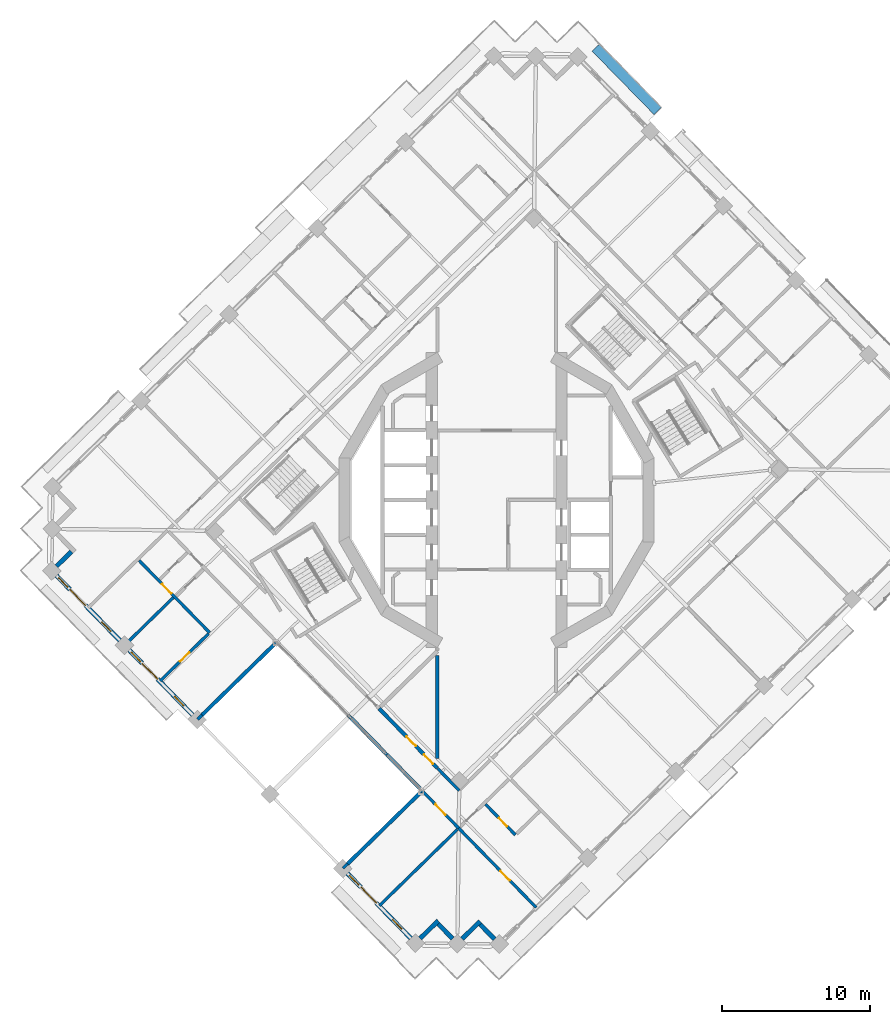
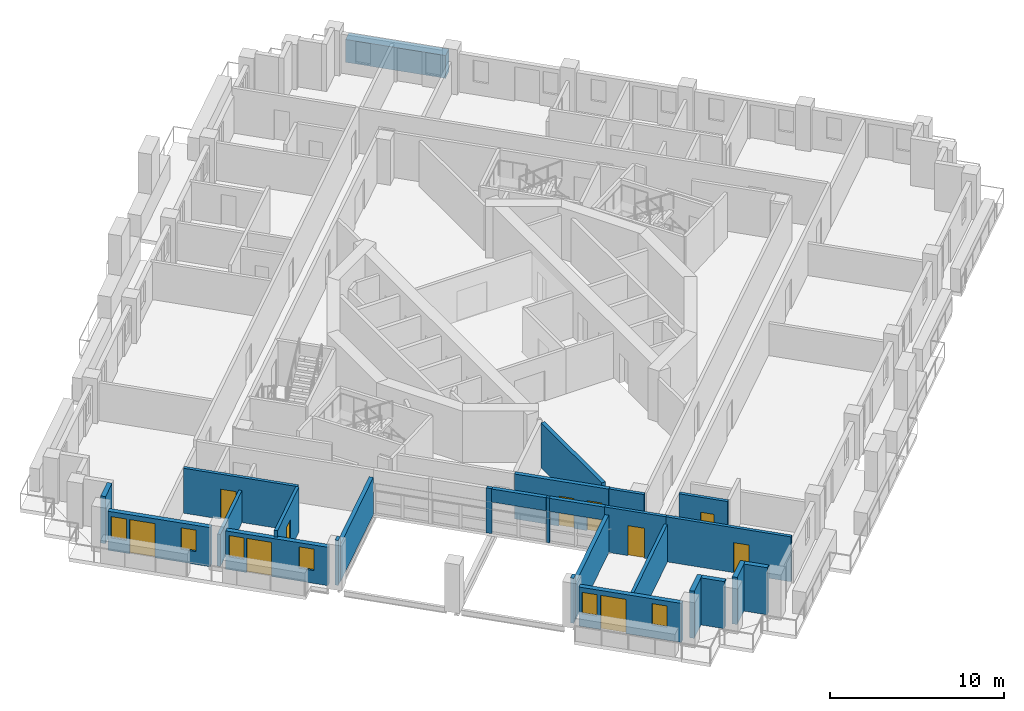
# One storey, part 6 of 19: 26 walls, 10 doors, 6 windows, 1 plate, 16 openings.
"""IFC4 building model written with IfcOpenShell, lengths in metres."""

from ifc_helpers import new_model, si_unit, direction, frame, frame_2d, origin, origin_2d, place, context, subcontext, project, spatial, rectangle, extrude, material, layer, layer_set, type_object, element, fill, save


model = new_model("IFC4")

# Units and contexts
model_context = context("Model", 3, precision=1e-05, world=origin(), true_north=direction((0.0, 1.0)))
body_context = subcontext(model_context, "Body", "Model", "MODEL_VIEW")
ifc_project = project(units=[si_unit("LENGTHUNIT", "METRE"), si_unit("AREAUNIT", "SQUARE_METRE"), si_unit("VOLUMEUNIT", "CUBIC_METRE"), si_unit("PLANEANGLEUNIT", "RADIAN"), si_unit("MASSUNIT", "GRAM", prefix="KILO")], contexts=[model_context])

# Site, building, storey
site_placement = place(None, origin())
site = spatial("IfcSite", under=ifc_project, at=site_placement, CompositionType="ELEMENT")
building_placement = place(site_placement, origin())
building = spatial("IfcBuilding", under=site, at=building_placement, Name="Cantera Rosa Tower", CompositionType="ELEMENT")
storey_placement = place(building_placement, frame((0.0, 0.0, 241.39990234375)))
storey = spatial("IfcBuildingStorey", under=building, at=storey_placement, Name="L53", CompositionType="ELEMENT", Elevation=241.39990234375)

# Plate
ifc_material_1 = material(Name="Cantera stone planter with soil", Category="masonry")
plate_type = type_object("IfcPlateType", Name="PLANTER 700", PredefinedType="USERDEFINED", material=ifc_material_1)
plate_placement = place(storey_placement, frame((8.778564453125, 28.3798828125, 0.0), z_axis=(0.0, 0.0, 1.0), x_axis=(-0.698831540364, 0.71528629107, 0.0)))
element("IfcPlate", 1, at=plate_placement, inside=storey, type_object=plate_type, Name="PLANTER L53-05", ObjectType="PLANTER", PredefinedType="USERDEFINED", context=body_context, shape_type="SweptSolid", body=[
    extrude(rectangle(XDim=5.969970703125, YDim=0.699951171875, at=origin_2d()), origin(), (0.0, 0.0, 1.0), 1.60009765625),
])

# Walls
ifc_material_2 = material(Name="Gypsum board partition")
ifc_layer_1 = layer(ifc_material_2, 0.199951171875)
ifc_layer_set_1 = layer_set([ifc_layer_1], Name="CORRIDOR WALL 200 H3150")
wall_type_1 = type_object("IfcWallType", Name="CORRIDOR WALL 200 H3150", PredefinedType="PARTITIONING", material=ifc_layer_set_1)
wall_1_placement = place(storey_placement, frame((-10.03759765625, -14.481689453125, 0.0), z_axis=(0.0, 0.0, 1.0), x_axis=(0.698975667252, -0.715145451352, 0.0)))
element("IfcWall", 2, at=wall_1_placement, inside=storey, type_object=wall_type_1, Name="CORRIDOR WALL L53-005", PredefinedType="PARTITIONING", context=body_context, shape_type="SweptSolid", body=[
    extrude(rectangle(XDim=0.332275390625, YDim=0.199951171875, at=frame_2d((0.166015625, 0.0))), origin(), (0.0, 0.0, 1.0), 3.150146484375),
])
wall_2_placement = place(storey_placement, frame((-7.536376953125, -17.041748046875, 0.0), z_axis=(0.0, 0.0, 1.0), x_axis=(0.698874391949, -0.715244422752, 0.0)))
element("IfcWall", 3, at=wall_2_placement, inside=storey, type_object=wall_type_1, Name="CORRIDOR WALL L53-006", PredefinedType="PARTITIONING", context=body_context, shape_type="SweptSolid", body=[
    extrude(rectangle(XDim=0.19384765625, YDim=0.199951171875, at=frame_2d((0.096923828125, 0.0))), origin(), (0.0, 0.0, 1.0), 3.150146484375),
])

# Wall, opening, door
wall_3_placement = place(storey_placement, frame((-5.10302734375, -19.5322265625, 0.0), z_axis=(0.0, 0.0, 1.0), x_axis=(0.698786553758, -0.71533024002, 0.0)))
wall_3 = element("IfcWall", 4, at=wall_3_placement, inside=storey, type_object=wall_type_1, Name="CORRIDOR WALL L53-007", PredefinedType="PARTITIONING", context=body_context, shape_type="SweptSolid", body=[
    extrude(rectangle(XDim=3.64501953125, YDim=0.199951171875, at=frame_2d((1.822509765625, 0.0))), origin(), (0.0, 0.0, 1.0), 3.150146484375),
])
opening_1_placement = place(wall_3_placement, frame((1.385009765625, 0.0, 0.0)))
opening_1 = element("IfcOpeningElement", 5, at=opening_1_placement, cuts=wall_3, Name="Opening L53-046", PredefinedType="OPENING", context=body_context, shape_type="SweptSolid", body=[
    extrude(rectangle(XDim=1.0, YDim=2.10009765625, at=frame_2d((0.5, 1.050048828125))), frame((0.0, 0.10986328125, 0.0), z_axis=(0.0, -1.0, 0.0), x_axis=(1.0, 0.0, 0.0)), (0.0, 0.0, 1.0), 0.219970703125),
])
ifc_material_3 = material(Name="Timber door leaf", Category="wood")
door_type_1 = type_object("IfcDoorType", Name="ROOM DOOR 1000x2100", OperationType="NOTDEFINED", PredefinedType="DOOR", material=ifc_material_3)
door_1_placement = place(opening_1_placement, origin())
door_1 = element("IfcDoor", 6, at=door_1_placement, inside=storey, type_object=door_type_1, Name="DOOR L53-046", OperationType="NOTDEFINED", OverallHeight=2.10009765625, OverallWidth=1.0, PredefinedType="DOOR", context=body_context, shape_type="SweptSolid", body=[
    extrude(rectangle(XDim=1.0, YDim=2.10009765625, at=frame_2d((0.5, 1.050048828125))), frame((0.0, 0.02490234375, 0.0), z_axis=(0.0, -1.0, 0.0), x_axis=(1.0, 0.0, 0.0)), (0.0, 0.0, 1.0), 0.050048828125),
])
fill(opening_1, door_1)

# Walls
wall_4_placement = place(storey_placement, frame((-3.986083984375, -18.10009765625, 0.0), z_axis=(0.0, 0.0, 1.0), x_axis=(0.698877234419, -0.715241645327, 0.0)))
element("IfcWall", 7, at=wall_4_placement, inside=storey, type_object=wall_type_1, Name="CORRIDOR WALL L53-052", PredefinedType="PARTITIONING", context=body_context, shape_type="SweptSolid", body=[
    extrude(rectangle(XDim=2.088623046875, YDim=0.199951171875, at=frame_2d((1.04443359375, 0.0))), origin(), (0.0, 0.0, 1.0), 3.150146484375),
])
ifc_material_4 = material(Name="Hollow clay masonry with cantera stone cladding", Category="masonry")
ifc_layer_2 = layer(ifc_material_4, 0.300048828125)
ifc_layer_set_2 = layer_set([ifc_layer_2], Name="EW-LOGGIA 300")
wall_type_2 = type_object("IfcWallType", Name="EW-LOGGIA 300", PredefinedType="SOLIDWALL", material=ifc_layer_set_2)
wall_5_placement = place(storey_placement, frame((-28.680419921875, -3.48486328125, 0.0), z_axis=(0.0, 0.0, 1.0), x_axis=(-0.71516937164, -0.698951192766, 0.0)))
element("IfcWall", 8, at=wall_5_placement, inside=storey, type_object=wall_type_2, Name="EN-L53-W13b", PredefinedType="SOLIDWALL", context=body_context, shape_type="SweptSolid", body=[
    extrude(rectangle(XDim=1.39990234375, YDim=0.300048828125, at=frame_2d((0.699951171875, 0.0))), origin(), (0.0, 0.0, 1.0), 3.300048828125),
])
wall_6_placement = place(storey_placement, frame((-5.15283203125, -29.56982421875, 0.0), z_axis=(0.0, 0.0, 1.0), x_axis=(0.715316077832, 0.69880105094, 0.0)))
element("IfcWall", 9, at=wall_6_placement, inside=storey, type_object=wall_type_2, Name="EN-L53-W19a", PredefinedType="SOLIDWALL", context=body_context, shape_type="SweptSolid", body=[
    extrude(rectangle(XDim=1.699951171875, YDim=0.300048828125, at=frame_2d((0.85009765625, 0.0))), origin(), (0.0, 0.0, 1.0), 3.300048828125),
])
wall_7_placement = place(storey_placement, frame((-3.939208984375, -28.593994140625, 0.0), z_axis=(0.0, 0.0, 1.0), x_axis=(0.698861982187, -0.715256548278, 0.0)))
element("IfcWall", 10, at=wall_7_placement, inside=storey, type_object=wall_type_2, Name="EN-L53-W19b", PredefinedType="SOLIDWALL", context=body_context, shape_type="SweptSolid", body=[
    extrude(rectangle(XDim=1.39990234375, YDim=0.300048828125, at=frame_2d((0.699951171875, 0.0))), origin(), (0.0, 0.0, 1.0), 3.300048828125),
])
wall_8_placement = place(storey_placement, frame((-2.324462890625, -29.602783203125, 0.0), z_axis=(0.0, 0.0, 1.0), x_axis=(0.715316077832, 0.69880105094, 0.0)))
element("IfcWall", 11, at=wall_8_placement, inside=storey, type_object=wall_type_2, Name="EN-L53-W20a", PredefinedType="SOLIDWALL", context=body_context, shape_type="SweptSolid", body=[
    extrude(rectangle(XDim=1.699951171875, YDim=0.300048828125, at=frame_2d((0.85009765625, 0.0))), origin(), (0.0, 0.0, 1.0), 3.300048828125),
])
wall_9_placement = place(storey_placement, frame((-1.111083984375, -28.626953125, 0.0), z_axis=(0.0, 0.0, 1.0), x_axis=(0.698951192766, -0.71516937164, 0.0)))
element("IfcWall", 12, at=wall_9_placement, inside=storey, type_object=wall_type_2, Name="EN-L53-W20b", PredefinedType="SOLIDWALL", context=body_context, shape_type="SweptSolid", body=[
    extrude(rectangle(XDim=1.39990234375, YDim=0.300048828125, at=frame_2d((0.699951171875, 0.0))), origin(), (0.0, 0.0, 1.0), 3.300048828125),
])

# Wall, openings, windows, door
ifc_material_5 = material(Name="Hollow clay masonry with cantera stone cladding", Category="masonry")
ifc_layer_3 = layer(ifc_material_5, 0.300048828125)
ifc_layer_set_3 = layer_set([ifc_layer_3], Name="EW-LOGGIA 300 H2690")
wall_type_3 = type_object("IfcWallType", Name="EW-LOGGIA 300 H2690", PredefinedType="SOLIDWALL", material=ifc_layer_set_3)
wall_10_placement = place(storey_placement, frame((-24.783203125, -10.120849609375, 0.0), z_axis=(0.0, 0.0, 1.0), x_axis=(0.698800768177, -0.715316354067, 0.0)))
wall_10 = element("IfcWall", 13, at=wall_10_placement, inside=storey, type_object=wall_type_3, Name="EN-L53-W15", PredefinedType="SOLIDWALL", context=body_context, shape_type="SweptSolid", body=[
    extrude(rectangle(XDim=6.119873046875, YDim=0.300048828125, at=frame_2d((3.06005859375, 0.0))), origin(), (0.0, 0.0, 1.0), 2.690185546875),
])
opening_2_placement = place(wall_10_placement, frame((0.199951171875, 0.0, 0.89990234375)))
opening_2 = element("IfcOpeningElement", 14, at=opening_2_placement, cuts=wall_10, Name="Opening L53-W31", PredefinedType="OPENING", context=body_context, shape_type="SweptSolid", body=[
    extrude(rectangle(XDim=0.89990234375, YDim=1.5, at=frame_2d((0.449951171875, 0.75))), frame((0.0, 0.159912109375, 0.0), z_axis=(0.0, -1.0, 0.0), x_axis=(1.0, 0.0, 0.0)), (0.0, 0.0, 1.0), 0.320068359375),
])
opening_3_placement = place(wall_10_placement, frame((1.25, 0.0, 0.0)))
opening_3 = element("IfcOpeningElement", 15, at=opening_3_placement, cuts=wall_10, Name="Opening L53-TD32", PredefinedType="OPENING", context=body_context, shape_type="SweptSolid", body=[
    extrude(rectangle(XDim=1.5, YDim=2.39990234375, at=frame_2d((0.75, 1.199951171875))), frame((0.0, 0.159912109375, 0.0), z_axis=(0.0, -1.0, 0.0), x_axis=(1.0, 0.0, 0.0)), (0.0, 0.0, 1.0), 0.320068359375),
])
opening_4_placement = place(wall_10_placement, frame((4.364990234375, 0.0, 0.89990234375)))
opening_4 = element("IfcOpeningElement", 16, at=opening_4_placement, cuts=wall_10, Name="Opening L53-W33", PredefinedType="OPENING", context=body_context, shape_type="SweptSolid", body=[
    extrude(rectangle(XDim=0.89990234375, YDim=1.5, at=frame_2d((0.449951171875, 0.75))), frame((0.0, 0.159912109375, 0.0), z_axis=(0.0, -1.0, 0.0), x_axis=(1.0, 0.0, 0.0)), (0.0, 0.0, 1.0), 0.320068359375),
])
ifc_material_6 = material(Name="Aluminium frame with clear glass", Category="aluminium")
window_type = type_object("IfcWindowType", Name="Residential window 900x1500", PartitioningType="SINGLE_PANEL", PredefinedType="WINDOW", material=ifc_material_6)
window_1_placement = place(opening_2_placement, origin())
window_1 = element("IfcWindow", 17, at=window_1_placement, inside=storey, type_object=window_type, Name="WINDOW L53-W31", OverallHeight=1.5, OverallWidth=0.89990234375, PartitioningType="SINGLE_PANEL", PredefinedType="WINDOW", context=body_context, shape_type="SweptSolid", body=[
    extrude(rectangle(XDim=0.89990234375, YDim=1.5, at=frame_2d((0.449951171875, 0.75))), frame((0.0, 0.030029296875, 0.0), z_axis=(0.0, -1.0, 0.0), x_axis=(1.0, 0.0, 0.0)), (0.0, 0.0, 1.0), 0.06005859375),
])
fill(opening_2, window_1)
window_2_placement = place(opening_4_placement, origin())
window_2 = element("IfcWindow", 18, at=window_2_placement, inside=storey, type_object=window_type, Name="WINDOW L53-W33", OverallHeight=1.5, OverallWidth=0.89990234375, PartitioningType="SINGLE_PANEL", PredefinedType="WINDOW", context=body_context, shape_type="SweptSolid", body=[
    extrude(rectangle(XDim=0.89990234375, YDim=1.5, at=frame_2d((0.449951171875, 0.75))), frame((0.0, 0.030029296875, 0.0), z_axis=(0.0, -1.0, 0.0), x_axis=(1.0, 0.0, 0.0)), (0.0, 0.0, 1.0), 0.06005859375),
])
fill(opening_4, window_2)
ifc_material_7 = material(Name="Aluminium frame with clear glass", Category="aluminium")
door_type_2 = type_object("IfcDoorType", Name="TD-R 1500x2400", OperationType="NOTDEFINED", PredefinedType="DOOR", material=ifc_material_7)
door_2_placement = place(opening_3_placement, origin())
door_2 = element("IfcDoor", 19, at=door_2_placement, inside=storey, type_object=door_type_2, Name="LOGGIA DOOR L53-TD32", OperationType="SLIDING_TO_LEFT", OverallHeight=2.39990234375, OverallWidth=1.5, PredefinedType="DOOR", context=body_context, shape_type="SweptSolid", body=[
    extrude(rectangle(XDim=1.5, YDim=2.39990234375, at=frame_2d((0.75, 1.199951171875))), frame((0.0, 0.02490234375, 0.0), z_axis=(0.0, -1.0, 0.0), x_axis=(1.0, 0.0, 0.0)), (0.0, 0.0, 1.0), 0.050048828125),
])
fill(opening_3, door_2)

ifc_material_8 = material(Name="Hollow clay masonry with cantera stone cladding", Category="masonry")
ifc_layer_4 = layer(ifc_material_8, 0.300048828125)
ifc_layer_set_4 = layer_set([ifc_layer_4], Name="EW-LOGGIA 300 H2740")
wall_type_4 = type_object("IfcWallType", Name="EW-LOGGIA 300 H2740", PredefinedType="SOLIDWALL", material=ifc_layer_set_4)
wall_11_placement = place(storey_placement, frame((-29.689208984375, -5.099609375, 0.0), z_axis=(0.0, 0.0, 1.0), x_axis=(0.69882117953, -0.715296413412, 0.0)))
wall_11 = element("IfcWall", 20, at=wall_11_placement, inside=storey, type_object=wall_type_4, Name="EN-L53-W14", PredefinedType="SOLIDWALL", context=body_context, shape_type="SweptSolid", body=[
    extrude(rectangle(XDim=6.1201171875, YDim=0.300048828125, at=frame_2d((3.06005859375, 0.0))), origin(), (0.0, 0.0, 1.0), 2.739990234375),
])
opening_5_placement = place(wall_11_placement, frame((0.199951171875, 0.0, 0.89990234375)))
opening_5 = element("IfcOpeningElement", 21, at=opening_5_placement, cuts=wall_11, Name="Opening L53-W28", PredefinedType="OPENING", context=body_context, shape_type="SweptSolid", body=[
    extrude(rectangle(XDim=0.89990234375, YDim=1.5, at=frame_2d((0.449951171875, 0.75))), frame((0.0, 0.159912109375, 0.0), z_axis=(0.0, -1.0, 0.0), x_axis=(1.0, 0.0, 0.0)), (0.0, 0.0, 1.0), 0.320068359375),
])
opening_6_placement = place(wall_11_placement, frame((1.300048828125, 0.0, 0.0)))
opening_6 = element("IfcOpeningElement", 22, at=opening_6_placement, cuts=wall_11, Name="Opening L53-TD29", PredefinedType="OPENING", context=body_context, shape_type="SweptSolid", body=[
    extrude(rectangle(XDim=1.5, YDim=2.39990234375, at=frame_2d((0.75, 1.199951171875))), frame((0.0, 0.159912109375, 0.0), z_axis=(0.0, -1.0, 0.0), x_axis=(1.0, 0.0, 0.0)), (0.0, 0.0, 1.0), 0.320068359375),
])
opening_7_placement = place(wall_11_placement, frame((4.364990234375, 0.0, 0.89990234375)))
opening_7 = element("IfcOpeningElement", 23, at=opening_7_placement, cuts=wall_11, Name="Opening L53-W30", PredefinedType="OPENING", context=body_context, shape_type="SweptSolid", body=[
    extrude(rectangle(XDim=0.89990234375, YDim=1.5, at=frame_2d((0.449951171875, 0.75))), frame((0.0, 0.159912109375, 0.0), z_axis=(0.0, -1.0, 0.0), x_axis=(1.0, 0.0, 0.0)), (0.0, 0.0, 1.0), 0.320068359375),
])
window_3_placement = place(opening_5_placement, origin())
window_3 = element("IfcWindow", 24, at=window_3_placement, inside=storey, type_object=window_type, Name="WINDOW L53-W28", OverallHeight=1.5, OverallWidth=0.89990234375, PartitioningType="SINGLE_PANEL", PredefinedType="WINDOW", context=body_context, shape_type="SweptSolid", body=[
    extrude(rectangle(XDim=0.89990234375, YDim=1.5, at=frame_2d((0.449951171875, 0.75))), frame((0.0, 0.030029296875, 0.0), z_axis=(0.0, -1.0, 0.0), x_axis=(1.0, 0.0, 0.0)), (0.0, 0.0, 1.0), 0.06005859375),
])
fill(opening_5, window_3)
window_4_placement = place(opening_7_placement, origin())
window_4 = element("IfcWindow", 25, at=window_4_placement, inside=storey, type_object=window_type, Name="WINDOW L53-W30", OverallHeight=1.5, OverallWidth=0.89990234375, PartitioningType="SINGLE_PANEL", PredefinedType="WINDOW", context=body_context, shape_type="SweptSolid", body=[
    extrude(rectangle(XDim=0.89990234375, YDim=1.5, at=frame_2d((0.449951171875, 0.75))), frame((0.0, 0.030029296875, 0.0), z_axis=(0.0, -1.0, 0.0), x_axis=(1.0, 0.0, 0.0)), (0.0, 0.0, 1.0), 0.06005859375),
])
fill(opening_7, window_4)
door_3_placement = place(opening_6_placement, origin())
door_3 = element("IfcDoor", 26, at=door_3_placement, inside=storey, type_object=door_type_2, Name="LOGGIA DOOR L53-TD29", OperationType="SLIDING_TO_LEFT", OverallHeight=2.39990234375, OverallWidth=1.5, PredefinedType="DOOR", context=body_context, shape_type="SweptSolid", body=[
    extrude(rectangle(XDim=1.5, YDim=2.39990234375, at=frame_2d((0.75, 1.199951171875))), frame((0.0, 0.02490234375, 0.0), z_axis=(0.0, -1.0, 0.0), x_axis=(1.0, 0.0, 0.0)), (0.0, 0.0, 1.0), 0.050048828125),
])
fill(opening_6, door_3)

wall_12_placement = place(storey_placement, frame((-10.06591796875, -25.184814453125, 0.0), z_axis=(0.0, 0.0, 1.0), x_axis=(0.69882117953, -0.715296413412, 0.0)))
wall_12 = element("IfcWall", 27, at=wall_12_placement, inside=storey, type_object=wall_type_4, Name="EN-L53-W18", PredefinedType="SOLIDWALL", context=body_context, shape_type="SweptSolid", body=[
    extrude(rectangle(XDim=6.1201171875, YDim=0.300048828125, at=frame_2d((3.06005859375, 0.0))), origin(), (0.0, 0.0, 1.0), 2.739990234375),
])
opening_8_placement = place(wall_12_placement, frame((0.199951171875, 0.0, 0.89990234375)))
opening_8 = element("IfcOpeningElement", 28, at=opening_8_placement, cuts=wall_12, Name="Opening L53-W34", PredefinedType="OPENING", context=body_context, shape_type="SweptSolid", body=[
    extrude(rectangle(XDim=0.89990234375, YDim=1.5, at=frame_2d((0.449951171875, 0.75))), frame((0.0, 0.159912109375, 0.0), z_axis=(0.0, -1.0, 0.0), x_axis=(1.0, 0.0, 0.0)), (0.0, 0.0, 1.0), 0.320068359375),
])
opening_9_placement = place(wall_12_placement, frame((1.300048828125, 0.0, 0.0)))
opening_9 = element("IfcOpeningElement", 29, at=opening_9_placement, cuts=wall_12, Name="Opening L53-TD35", PredefinedType="OPENING", context=body_context, shape_type="SweptSolid", body=[
    extrude(rectangle(XDim=1.5, YDim=2.39990234375, at=frame_2d((0.75, 1.199951171875))), frame((0.0, 0.159912109375, 0.0), z_axis=(0.0, -1.0, 0.0), x_axis=(1.0, 0.0, 0.0)), (0.0, 0.0, 1.0), 0.320068359375),
])
opening_10_placement = place(wall_12_placement, frame((4.364990234375, 0.0, 0.89990234375)))
opening_10 = element("IfcOpeningElement", 30, at=opening_10_placement, cuts=wall_12, Name="Opening L53-W36", PredefinedType="OPENING", context=body_context, shape_type="SweptSolid", body=[
    extrude(rectangle(XDim=0.89990234375, YDim=1.5, at=frame_2d((0.449951171875, 0.75))), frame((0.0, 0.159912109375, 0.0), z_axis=(0.0, -1.0, 0.0), x_axis=(1.0, 0.0, 0.0)), (0.0, 0.0, 1.0), 0.320068359375),
])
window_5_placement = place(opening_8_placement, origin())
window_5 = element("IfcWindow", 31, at=window_5_placement, inside=storey, type_object=window_type, Name="WINDOW L53-W34", OverallHeight=1.5, OverallWidth=0.89990234375, PartitioningType="SINGLE_PANEL", PredefinedType="WINDOW", context=body_context, shape_type="SweptSolid", body=[
    extrude(rectangle(XDim=0.89990234375, YDim=1.5, at=frame_2d((0.449951171875, 0.75))), frame((0.0, 0.030029296875, 0.0), z_axis=(0.0, -1.0, 0.0), x_axis=(1.0, 0.0, 0.0)), (0.0, 0.0, 1.0), 0.06005859375),
])
fill(opening_8, window_5)
window_6_placement = place(opening_10_placement, origin())
window_6 = element("IfcWindow", 32, at=window_6_placement, inside=storey, type_object=window_type, Name="WINDOW L53-W36", OverallHeight=1.5, OverallWidth=0.89990234375, PartitioningType="SINGLE_PANEL", PredefinedType="WINDOW", context=body_context, shape_type="SweptSolid", body=[
    extrude(rectangle(XDim=0.89990234375, YDim=1.5, at=frame_2d((0.449951171875, 0.75))), frame((0.0, 0.030029296875, 0.0), z_axis=(0.0, -1.0, 0.0), x_axis=(1.0, 0.0, 0.0)), (0.0, 0.0, 1.0), 0.06005859375),
])
fill(opening_10, window_6)
door_4_placement = place(opening_9_placement, origin())
door_4 = element("IfcDoor", 33, at=door_4_placement, inside=storey, type_object=door_type_2, Name="LOGGIA DOOR L53-TD35", OperationType="SLIDING_TO_LEFT", OverallHeight=2.39990234375, OverallWidth=1.5, PredefinedType="DOOR", context=body_context, shape_type="SweptSolid", body=[
    extrude(rectangle(XDim=1.5, YDim=2.39990234375, at=frame_2d((0.75, 1.199951171875))), frame((0.0, 0.02490234375, 0.0), z_axis=(0.0, -1.0, 0.0), x_axis=(1.0, 0.0, 0.0)), (0.0, 0.0, 1.0), 0.050048828125),
])
fill(opening_9, door_4)

# Walls
ifc_material_9 = material(Name="Concrete C40/50", Category="concrete")
ifc_layer_5 = layer(ifc_material_9, 0.25)
ifc_layer_set_5 = layer_set([ifc_layer_5], Name="EW-POCKET CHEEK 250 H2620")
wall_type_5 = type_object("IfcWallType", Name="EW-POCKET CHEEK 250 H2620", PredefinedType="SOLIDWALL", material=ifc_layer_set_5)
for number, where, z_axis, x_axis, name in (
    (34, (-19.8701171875, -14.505859375, 0.0), (0.0, 0.0, 1.0), (0.715278984135, 0.69883901927, 0.0), "POCKET CHEEK A L53"),
    (35, (-10.05859375, -24.548583984375, 0.0), (0.0, 0.0, 1.0), (0.715278984135, 0.69883901927, 0.0), "POCKET CHEEK B L53"),
):
    element("IfcWall", number, at=place(storey_placement, frame(where, z_axis=z_axis, x_axis=x_axis)), inside=storey, type_object=wall_type_5, Name=name, PredefinedType="SOLIDWALL", context=body_context, shape_type="SweptSolid", body=[
        extrude(rectangle(XDim=6.949951171875, YDim=0.25, at=frame_2d((3.47509765625, 0.0))), origin(), (0.0, 0.0, 1.0), 2.6201171875),
    ])
ifc_material_10 = material(Name="Hollow clay masonry with cantera stone cladding", Category="masonry")
ifc_layer_6 = layer(ifc_material_10, 0.25)
ifc_layer_set_6 = layer_set([ifc_layer_6], Name="EW-POCKET REAR 250")
wall_type_6 = type_object("IfcWallType", Name="EW-POCKET REAR 250", PredefinedType="SOLIDWALL", material=ifc_layer_set_6)
wall_13_placement = place(storey_placement, frame((-9.8056640625, -14.71923828125, 2.234130859375), z_axis=(0.0, 0.0, 1.0), x_axis=(0.698863895591, -0.715254678726, 0.0)))
element("IfcWall", 36, at=wall_13_placement, inside=storey, type_object=wall_type_6, Name="POCKET SPANDREL L53-3", PredefinedType="SOLIDWALL", context=body_context, shape_type="SweptSolid", body=[
    extrude(rectangle(XDim=3.2470703125, YDim=0.25, at=frame_2d((1.62353515625, 0.0))), origin(), (0.0, 0.0, 1.0), 0.916015625),
])
wall_14_placement = place(storey_placement, frame((-7.40087890625, -17.180419921875, 2.234130859375), z_axis=(0.0, 0.0, 1.0), x_axis=(0.698854395977, -0.715263960523, 0.0)))
element("IfcWall", 37, at=wall_14_placement, inside=storey, type_object=wall_type_6, Name="POCKET SPANDREL L53-4", PredefinedType="SOLIDWALL", context=body_context, shape_type="SweptSolid", body=[
    extrude(rectangle(XDim=3.2880859375, YDim=0.25, at=frame_2d((1.64404296875, 0.0))), origin(), (0.0, 0.0, 1.0), 0.916015625),
])
ifc_material_11 = material(Name="Gypsum board partition")
ifc_layer_7 = layer(ifc_material_11, 0.199951171875)
ifc_layer_set_7 = layer_set([ifc_layer_7], Name="PARTITION 200 H2250")
wall_type_7 = type_object("IfcWallType", Name="PARTITION 200 H2250", PredefinedType="PARTITIONING", material=ifc_layer_set_7)
wall_15_placement = place(storey_placement, frame((-21.8076171875, -6.58447265625, 0.0), z_axis=(0.0, 0.0, 1.0), x_axis=(-0.71528612383, -0.698831711541, 0.0)))
element("IfcWall", 38, at=wall_15_placement, inside=storey, type_object=wall_type_7, Name="PARTITION L53-008", PredefinedType="PARTITIONING", context=body_context, shape_type="SweptSolid", body=[
    extrude(rectangle(XDim=4.56982421875, YDim=0.199951171875, at=frame_2d((2.284912109375, 0.0))), origin(), (0.0, 0.0, 1.0), 2.25),
])

# Wall, opening, door
ifc_material_12 = material(Name="Gypsum board partition")
ifc_layer_8 = layer(ifc_material_12, 0.199951171875)
ifc_layer_set_8 = layer_set([ifc_layer_8], Name="PARTITION 200 H3150")
wall_type_8 = type_object("IfcWallType", Name="PARTITION 200 H3150", PredefinedType="PARTITIONING", material=ifc_layer_set_8)
wall_16_placement = place(storey_placement, frame((-24.112060546875, -4.08251953125, 0.0), z_axis=(0.0, 0.0, 1.0), x_axis=(0.698837366631, -0.715280598787, 0.0)))
wall_16 = element("IfcWall", 39, at=wall_16_placement, inside=storey, type_object=wall_type_8, Name="PARTITION L53-001", PredefinedType="PARTITIONING", context=body_context, shape_type="SweptSolid", body=[
    extrude(rectangle(XDim=6.800048828125, YDim=0.199951171875, at=frame_2d((3.39990234375, 0.0))), origin(), (0.0, 0.0, 1.0), 3.150146484375),
])
opening_11_placement = place(wall_16_placement, frame((2.22998046875, 0.0, 0.0)))
opening_11 = element("IfcOpeningElement", 40, at=opening_11_placement, cuts=wall_16, Name="Opening L53-044", PredefinedType="OPENING", context=body_context, shape_type="SweptSolid", body=[
    extrude(rectangle(XDim=0.89990234375, YDim=2.10009765625, at=frame_2d((0.449951171875, 1.050048828125))), frame((0.0, 0.10986328125, 0.0), z_axis=(0.0, -1.0, 0.0), x_axis=(1.0, 0.0, 0.0)), (0.0, 0.0, 1.0), 0.219970703125),
])
ifc_material_13 = material(Name="Timber door leaf", Category="wood")
door_type_3 = type_object("IfcDoorType", Name="ROOM DOOR 900x2100", OperationType="NOTDEFINED", PredefinedType="DOOR", material=ifc_material_13)
door_5_placement = place(opening_11_placement, origin())
door_5 = element("IfcDoor", 41, at=door_5_placement, inside=storey, type_object=door_type_3, Name="DOOR L53-044", OperationType="NOTDEFINED", OverallHeight=2.10009765625, OverallWidth=0.89990234375, PredefinedType="DOOR", context=body_context, shape_type="SweptSolid", body=[
    extrude(rectangle(XDim=0.89990234375, YDim=2.10009765625, at=frame_2d((0.449951171875, 1.050048828125))), frame((0.0, 0.02490234375, 0.0), z_axis=(0.0, -1.0, 0.0), x_axis=(1.0, 0.0, 0.0)), (0.0, 0.0, 1.0), 0.050048828125),
])
fill(opening_11, door_5)

wall_17_placement = place(storey_placement, frame((-19.431396484375, -9.016357421875, 0.0), z_axis=(0.0, 0.0, 1.0), x_axis=(-0.715259419829, -0.69885904326, 0.0)))
wall_17 = element("IfcWall", 42, at=wall_17_placement, inside=storey, type_object=wall_type_8, Name="PARTITION L53-012", PredefinedType="PARTITIONING", context=body_context, shape_type="SweptSolid", body=[
    extrude(rectangle(XDim=4.570068359375, YDim=0.199951171875, at=frame_2d((2.28515625, 0.0))), origin(), (0.0, 0.0, 1.0), 3.150146484375),
])
opening_12_placement = place(wall_17_placement, frame((1.800048828125, 0.0, 0.0)))
opening_12 = element("IfcOpeningElement", 43, at=opening_12_placement, cuts=wall_17, Name="Opening L53-045", PredefinedType="OPENING", context=body_context, shape_type="SweptSolid", body=[
    extrude(rectangle(XDim=0.89990234375, YDim=2.10009765625, at=frame_2d((0.449951171875, 1.050048828125))), frame((0.0, 0.10986328125, 0.0), z_axis=(0.0, -1.0, 0.0), x_axis=(1.0, 0.0, 0.0)), (0.0, 0.0, 1.0), 0.219970703125),
])
door_6_placement = place(opening_12_placement, origin())
door_6 = element("IfcDoor", 44, at=door_6_placement, inside=storey, type_object=door_type_3, Name="DOOR L53-045", OperationType="NOTDEFINED", OverallHeight=2.10009765625, OverallWidth=0.89990234375, PredefinedType="DOOR", context=body_context, shape_type="SweptSolid", body=[
    extrude(rectangle(XDim=0.89990234375, YDim=2.10009765625, at=frame_2d((0.449951171875, 1.050048828125))), frame((0.0, 0.02490234375, 0.0), z_axis=(0.0, -1.0, 0.0), x_axis=(1.0, 0.0, 0.0)), (0.0, 0.0, 1.0), 0.050048828125),
])
fill(opening_12, door_6)

# Walls
for number, where, z_axis, x_axis, name in (
    (45, (-19.8701171875, -14.505859375, 0.0), (0.0, 0.0, 1.0), (-0.715200413867, -0.698919428836, 0.0), "PARTITION L53-020"),
    (46, (-10.35888671875, -24.842041015625, 0.0), (0.0, 0.0, 1.0), (0.715200413867, 0.698919428836, 0.0), "PARTITION L53-031"),
):
    element("IfcWall", number, at=place(storey_placement, frame(where, z_axis=z_axis, x_axis=x_axis)), inside=storey, type_object=wall_type_8, Name=name, PredefinedType="PARTITIONING", context=body_context, shape_type="SweptSolid", body=[
        extrude(rectangle(XDim=0.419921875, YDim=0.199951171875, at=frame_2d((0.2099609375, 0.0))), origin(), (0.0, 0.0, 1.0), 3.150146484375),
    ])

# Wall, opening, door
wall_18_placement = place(storey_placement, frame((-2.555908203125, -22.1396484375, 0.0), z_axis=(0.0, 0.0, 1.0), x_axis=(0.698839096465, -0.715278908715, 0.0)))
wall_18 = element("IfcWall", 47, at=wall_18_placement, inside=storey, type_object=wall_type_8, Name="PARTITION L53-059", PredefinedType="PARTITIONING", context=body_context, shape_type="SweptSolid", body=[
    extrude(rectangle(XDim=7.4697265625, YDim=0.199951171875, at=frame_2d((3.73486328125, 0.0))), origin(), (0.0, 0.0, 1.0), 3.150146484375),
])
opening_13_placement = place(wall_18_placement, frame((4.050048828125, 0.0, 0.0)))
opening_13 = element("IfcOpeningElement", 48, at=opening_13_placement, cuts=wall_18, Name="Opening L53-051", PredefinedType="OPENING", context=body_context, shape_type="SweptSolid", body=[
    extrude(rectangle(XDim=0.89990234375, YDim=2.10009765625, at=frame_2d((0.449951171875, 1.050048828125))), frame((0.0, 0.10986328125, 0.0), z_axis=(0.0, -1.0, 0.0), x_axis=(1.0, 0.0, 0.0)), (0.0, 0.0, 1.0), 0.219970703125),
])
door_7_placement = place(opening_13_placement, origin())
door_7 = element("IfcDoor", 49, at=door_7_placement, inside=storey, type_object=door_type_3, Name="DOOR L53-051", OperationType="NOTDEFINED", OverallHeight=2.10009765625, OverallWidth=0.89990234375, PredefinedType="DOOR", context=body_context, shape_type="SweptSolid", body=[
    extrude(rectangle(XDim=0.89990234375, YDim=2.10009765625, at=frame_2d((0.449951171875, 1.050048828125))), frame((0.0, 0.02490234375, 0.0), z_axis=(0.0, -1.0, 0.0), x_axis=(1.0, 0.0, 0.0)), (0.0, 0.0, 1.0), 0.050048828125),
])
fill(opening_13, door_7)

wall_19_placement = place(storey_placement, frame((1.271484375, -22.59423828125, 0.0), z_axis=(0.0, 0.0, 1.0), x_axis=(-0.698807658641, 0.715309622628, 0.0)))
wall_19 = element("IfcWall", 50, at=wall_19_placement, inside=storey, type_object=wall_type_8, Name="PARTITION L53-066", PredefinedType="PARTITIONING", context=body_context, shape_type="SweptSolid", body=[
    extrude(rectangle(XDim=2.899658203125, YDim=0.199951171875, at=frame_2d((1.44970703125, 0.0))), origin(), (0.0, 0.0, 1.0), 3.150146484375),
])
opening_14_placement = place(wall_19_placement, frame((0.800048828125, 0.0, 0.0)))
opening_14 = element("IfcOpeningElement", 51, at=opening_14_placement, cuts=wall_19, Name="Opening L53-050", PredefinedType="OPENING", context=body_context, shape_type="SweptSolid", body=[
    extrude(rectangle(XDim=0.800048828125, YDim=2.10009765625, at=frame_2d((0.39990234375, 1.050048828125))), frame((0.0, 0.10986328125, 0.0), z_axis=(0.0, -1.0, 0.0), x_axis=(1.0, 0.0, 0.0)), (0.0, 0.0, 1.0), 0.219970703125),
])
ifc_material_14 = material(Name="Timber door leaf", Category="wood")
door_type_4 = type_object("IfcDoorType", Name="BATHROOM DOOR 800x2100", OperationType="NOTDEFINED", PredefinedType="DOOR", material=ifc_material_14)
door_8_placement = place(opening_14_placement, origin())
door_8 = element("IfcDoor", 52, at=door_8_placement, inside=storey, type_object=door_type_4, Name="DOOR L53-050", OperationType="NOTDEFINED", OverallHeight=2.10009765625, OverallWidth=0.800048828125, PredefinedType="DOOR", context=body_context, shape_type="SweptSolid", body=[
    extrude(rectangle(XDim=0.800048828125, YDim=2.10009765625, at=frame_2d((0.39990234375, 1.050048828125))), frame((0.0, 0.02490234375, 0.0), z_axis=(0.0, -1.0, 0.0), x_axis=(1.0, 0.0, 0.0)), (0.0, 0.0, 1.0), 0.050048828125),
])
fill(opening_14, door_8)

# Wall
ifc_material_15 = material(Name="Gypsum board partition")
ifc_layer_9 = layer(ifc_material_15, 0.199951171875)
ifc_layer_set_9 = layer_set([ifc_layer_9], Name="PARTY WALL 200 H2650")
wall_type_9 = type_object("IfcWallType", Name="PARTY WALL 200 H2650", PredefinedType="PARTITIONING", material=ifc_layer_set_9)
wall_20_placement = place(storey_placement, frame((-7.899169921875, -27.35986328125, 0.0), z_axis=(0.0, 0.0, 1.0), x_axis=(0.715296247667, 0.698821349183, 0.0)))
element("IfcWall", 53, at=wall_20_placement, inside=storey, type_object=wall_type_9, Name="PARTY WALL L53-038", PredefinedType="PARTITIONING", context=body_context, shape_type="SweptSolid", body=[
    extrude(rectangle(XDim=7.35009765625, YDim=0.199951171875, at=frame_2d((3.675048828125, 0.0))), origin(), (0.0, 0.0, 1.0), 2.650146484375),
])

# Wall, openings, doors
ifc_material_16 = material(Name="Masonry blockwork", Category="masonry")
ifc_layer_10 = layer(ifc_material_16, 0.25)
ifc_layer_set_10 = layer_set([ifc_layer_10], Name="SHAFT WALL 250 H3150")
wall_type_10 = type_object("IfcWallType", Name="SHAFT WALL 250 H3150", PredefinedType="SOLIDWALL", material=ifc_layer_set_10)
wall_21_placement = place(storey_placement, frame((-7.92822265625, -14.06494140625, 0.0), z_axis=(0.0, 0.0, 1.0), x_axis=(0.698828427015, -0.715289332785, 0.0)))
wall_21 = element("IfcWall", 54, at=wall_21_placement, inside=storey, type_object=wall_type_10, Name="SHAFT WALL L53-037", PredefinedType="SOLIDWALL", context=body_context, shape_type="SweptSolid", body=[
    extrude(rectangle(XDim=5.62109375, YDim=0.25, at=frame_2d((2.810546875, 0.0))), origin(), (0.0, 0.0, 1.0), 3.150146484375),
])
opening_15_placement = place(wall_21_placement, frame((4.324951171875, 0.0, 0.0)))
opening_15 = element("IfcOpeningElement", 55, at=opening_15_placement, cuts=wall_21, Name="Opening L53-010", PredefinedType="OPENING", context=body_context, shape_type="SweptSolid", body=[
    extrude(rectangle(XDim=0.89990234375, YDim=2.10009765625, at=frame_2d((0.449951171875, 1.050048828125))), frame((0.0, 0.135009765625, 0.0), z_axis=(0.0, -1.0, 0.0), x_axis=(1.0, 0.0, 0.0)), (0.0, 0.0, 1.0), 0.27001953125),
])
opening_16_placement = place(wall_21_placement, frame((2.64990234375, 0.0, 0.0)))
opening_16 = element("IfcOpeningElement", 56, at=opening_16_placement, cuts=wall_21, Name="Opening L53-053", PredefinedType="OPENING", context=body_context, shape_type="SweptSolid", body=[
    extrude(rectangle(XDim=0.89990234375, YDim=2.10009765625, at=frame_2d((0.449951171875, 1.050048828125))), frame((0.0, 0.135009765625, 0.0), z_axis=(0.0, -1.0, 0.0), x_axis=(1.0, 0.0, 0.0)), (0.0, 0.0, 1.0), 0.27001953125),
])
ifc_material_17 = material(Name="Timber door leaf", Category="wood")
door_type_5 = type_object("IfcDoorType", Name="SERVICE DOOR 900x2100", OperationType="NOTDEFINED", PredefinedType="DOOR", material=ifc_material_17)
door_9_placement = place(opening_15_placement, origin())
door_9 = element("IfcDoor", 57, at=door_9_placement, inside=storey, type_object=door_type_5, Name="RISER DOOR L53-010", OperationType="NOTDEFINED", OverallHeight=2.10009765625, OverallWidth=0.89990234375, PredefinedType="DOOR", context=body_context, shape_type="SweptSolid", body=[
    extrude(rectangle(XDim=0.89990234375, YDim=2.10009765625, at=frame_2d((0.449951171875, 1.050048828125))), frame((0.0, 0.02490234375, 0.0), z_axis=(0.0, -1.0, 0.0), x_axis=(1.0, 0.0, 0.0)), (0.0, 0.0, 1.0), 0.050048828125),
])
fill(opening_15, door_9)
door_10_placement = place(opening_16_placement, origin())
door_10 = element("IfcDoor", 58, at=door_10_placement, inside=storey, type_object=door_type_5, Name="RISER DOOR L53-053", OperationType="NOTDEFINED", OverallHeight=2.10009765625, OverallWidth=0.89990234375, PredefinedType="DOOR", context=body_context, shape_type="SweptSolid", body=[
    extrude(rectangle(XDim=0.89990234375, YDim=2.10009765625, at=frame_2d((0.449951171875, 1.050048828125))), frame((0.0, 0.02490234375, 0.0), z_axis=(0.0, -1.0, 0.0), x_axis=(1.0, 0.0, 0.0)), (0.0, 0.0, 1.0), 0.050048828125),
])
fill(opening_16, door_10)

# Wall
wall_22_placement = place(storey_placement, frame((-4.0, -10.479248046875, 0.0), z_axis=(0.0, 0.0, 1.0), x_axis=(0.0, -1.0, 0.0)))
element("IfcWall", 59, at=wall_22_placement, inside=storey, type_object=wall_type_10, Name="SHAFT WALL L53-054", PredefinedType="SOLIDWALL", context=body_context, shape_type="SweptSolid", body=[
    extrude(rectangle(XDim=6.962646484375, YDim=0.25, at=frame_2d((3.4814453125, 0.0))), origin(), (0.0, 0.0, 1.0), 3.150146484375),
])

save(model, "model.ifc")
